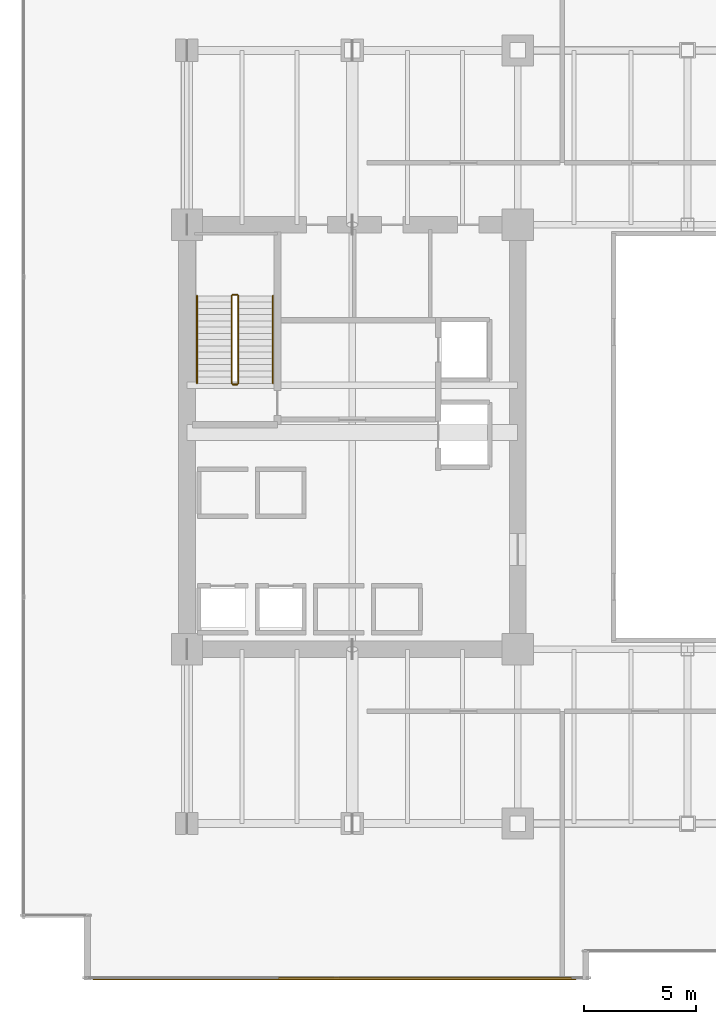
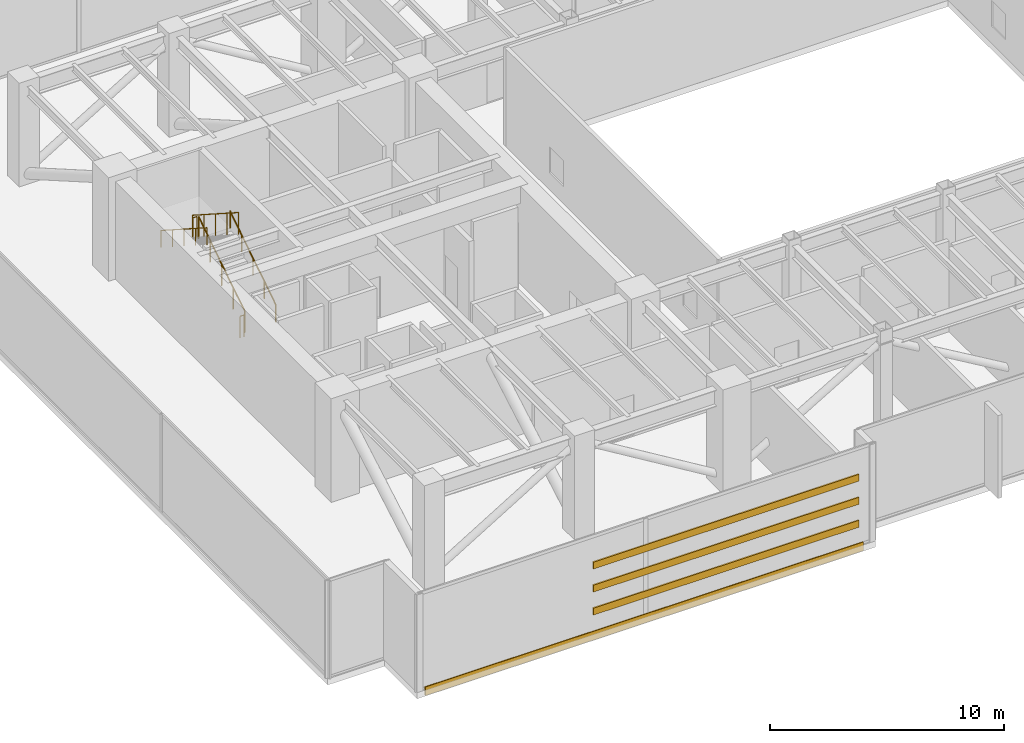
# One storey, part 36 of 38: 6 railings, 3 shading devices, 1 covering.
"""IFC4 building model written with IfcOpenShell, lengths in metres."""

from ifc_helpers import new_model, si_unit, direction, frame, frame_2d, origin, origin_2d, place, context, subcontext, project, spatial, rectangle, circle, extrude, source, transform, mapped, material, layer, layer_set, material_profile, profile_set, type_object, type_shapes, element, save


model = new_model("IFC4")

# Units and contexts
model_context = context("Model", 3, precision=1e-05, world=origin(), true_north=direction((0.0, 1.0)))
body_context = subcontext(model_context, "Body", "Model", "MODEL_VIEW")
ifc_project = project(units=[si_unit("LENGTHUNIT", "METRE"), si_unit("AREAUNIT", "SQUARE_METRE"), si_unit("VOLUMEUNIT", "CUBIC_METRE"), si_unit("PLANEANGLEUNIT", "RADIAN"), si_unit("MASSUNIT", "GRAM", prefix="KILO")], contexts=[model_context])

# Site, building, storey
site_placement = place(None, origin())
site = spatial("IfcSite", under=ifc_project, at=site_placement, CompositionType="ELEMENT")
building_placement = place(site_placement, origin())
building = spatial("IfcBuilding", under=site, at=building_placement, Name="Haelvirn Gate Laboratories", CompositionType="ELEMENT")
storey_placement = place(building_placement, frame((0.0, 0.0, 94.89990234375)))
storey = spatial("IfcBuildingStorey", under=building, at=storey_placement, Name="L23", CompositionType="ELEMENT", Elevation=94.89990234375)

# Covering
ifc_material_1 = material(Name="Anodised bronze honeycomb aluminium spandrel cladding", Category="aluminium")
ifc_layer = layer(ifc_material_1, 0.044921875, Name="COV-CLAD-BRZ")
ifc_layer_set = layer_set([ifc_layer], Name="Anodised bronze honeycomb aluminium spandrel cladding")
covering_type = type_object("IfcCoveringType", Name="COV-CLAD-BRZ", PredefinedType="CLADDING", material=ifc_layer_set)
covering_placement = place(storey_placement, frame((3.199951171875, 0.030029296875, -0.2998046875), z_axis=(0.0, 0.0, 1.0), x_axis=(1.0, 0.0, 0.0)))
element("IfcCovering", 1, at=covering_placement, inside=storey, type_object=covering_type, Name="L23 Bronze Slab-Edge Spandrel Cladding SW", PredefinedType="CLADDING", context=body_context, shape_type="SweptSolid", body=[
    extrude(rectangle(XDim=21.60009765625, YDim=0.044921875, at=frame_2d((10.800048828125, 0.0))), origin(), (0.0, 0.0, 1.0), 0.449951171875),
])

# Shading devices
ifc_material_2 = material(Name="Extruded aluminium 6063-T6 (anodised bronze)", Category="aluminium")
ifc_material_profile = material_profile(ifc_material_2, rectangle(XDim=0.080078125, YDim=0.360107421875, at=origin_2d()), Name="LOUV-360x80")
ifc_profile_set = profile_set([ifc_material_profile], Name="Extruded aluminium 6063-T6 (anodised bronze)")
shading_device_type = type_object("IfcShadingDeviceType", Name="SHD-LOUV-360", PredefinedType="USERDEFINED", material=ifc_profile_set)
shared_shape_1 = source(origin(), body_context, "Body", "SweptSolid", [
    extrude(rectangle(XDim=0.080078125, YDim=0.360107421875, at=origin_2d()), origin(), (0.0, 0.0, 1.0), 13.10009765625),
])
type_shapes(shading_device_type, [shared_shape_1])
for number, where, z_axis, x_axis, name in (
    (2, (11.5, 0.080078125, 1.150146484375), (1.0, 0.0, 0.0), (0.0, 1.0, 0.0), "L23 South Acoustic Plant Louvre 1"),
    (3, (11.5, 0.080078125, 2.35009765625), (1.0, 0.0, 0.0), (0.0, 1.0, 0.0), "L23 South Acoustic Plant Louvre 2"),
    (4, (11.5, 0.080078125, 3.550048828125), (1.0, 0.0, 0.0), (0.0, 1.0, 0.0), "L23 South Acoustic Plant Louvre 3"),
):
    element("IfcShadingDevice", number, at=place(storey_placement, frame(where, z_axis=z_axis, x_axis=x_axis)), inside=storey, type_object=shading_device_type, Name=name, ObjectType="LOUVRE", PredefinedType="USERDEFINED", context=body_context, shape_type="MappedRepresentation", body=[
        mapped(shared_shape_1, transform((0.0, 0.0, 0.0), scale=1.0)),
    ])

# Railings
ifc_material_3 = material(Name="Galvanised steel SM355 & stainless top rail", Category="steel")
railing_type_1 = type_object("IfcRailingType", Name="RL-GUARD-1150", PredefinedType="GUARDRAIL", material=ifc_material_3)
shared_shape_2 = source(origin(), body_context, "Body", "SweptSolid", [
    extrude(circle(Radius=0.02392578125, at=origin_2d()), frame((0.0, 0.0, 1.1259765625), z_axis=(-1.0, 0.0, 0.0), x_axis=(0.0, -1.0, 0.0)), (0.0, 0.0, 1.0), 0.199951171875),
    extrude(circle(Radius=0.02099609375, at=origin_2d()), origin(), (0.0, 0.0, 1.0), 1.101806640625),
    extrude(circle(Radius=0.02099609375, at=origin_2d()), frame((-0.199951171875, 0.0, 0.0)), (0.0, 0.0, 1.0), 1.101806640625),
])
for number, where, name in (
    (5, (9.64990234375, 30.669921875, 2.7001953125), "L23 ST1 stair guard 2"),
    (6, (9.64990234375, 26.64990234375, 0.0), "L23 ST1 stair guard 4"),
):
    element("IfcRailing", number, at=place(storey_placement, frame(where)), inside=storey, type_object=railing_type_1, Name=name, PredefinedType="GUARDRAIL", context=body_context, shape_type="MappedRepresentation", body=[
        mapped(shared_shape_2, transform((0.0, 0.0, 0.0), scale=1.0)),
    ])
shared_shape_3 = source(origin(), body_context, "Body", "SweptSolid", [
    extrude(circle(Radius=0.02392578125, at=origin_2d()), frame((0.0, 0.0, 1.1259765625), z_axis=(0.0, 0.841186985886, 0.540744352514), x_axis=(-1.0, 0.0, 0.0)), (0.0, 0.0, 1.0), 4.660400390625),
    extrude(circle(Radius=0.02099609375, at=origin_2d()), origin(), (0.0, 0.0, 1.0), 1.101806640625),
    extrude(circle(Radius=0.02099609375, at=origin_2d()), frame((0.0, 0.97998046875, 0.6298828125)), (0.0, 0.0, 1.0), 1.101806640625),
    extrude(circle(Radius=0.02099609375, at=origin_2d()), frame((0.0, 1.9599609375, 1.260009765625)), (0.0, 0.0, 1.0), 1.101806640625),
    extrude(circle(Radius=0.02099609375, at=origin_2d()), frame((0.0, 2.940185546875, 1.89013671875)), (0.0, 0.0, 1.0), 1.101806640625),
    extrude(circle(Radius=0.02099609375, at=origin_2d()), frame((0.0, 3.920166015625, 2.52001953125)), (0.0, 0.0, 1.0), 1.101806640625),
])
railing_1_placement = place(storey_placement, frame((9.699951171875, 26.699951171875, 0.18017578125)))
element("IfcRailing", 7, at=railing_1_placement, inside=storey, type_object=railing_type_1, Name="L23 ST1 stair guard 1", PredefinedType="GUARDRAIL", context=body_context, shape_type="MappedRepresentation", body=[
    mapped(shared_shape_3, transform((0.0, 0.0, 0.0), scale=1.0)),
])
shared_shape_4 = source(origin(), body_context, "Body", "SweptSolid", [
    extrude(circle(Radius=0.02392578125, at=origin_2d()), frame((0.0, 0.0, 1.1259765625), z_axis=(0.0, -0.841186985886, 0.540744352514), x_axis=(1.0, 0.0, 0.0)), (0.0, 0.0, 1.0), 4.660400390625),
    extrude(circle(Radius=0.02099609375, at=origin_2d()), origin(), (0.0, 0.0, 1.0), 1.101806640625),
    extrude(circle(Radius=0.02099609375, at=origin_2d()), frame((0.0, -0.97998046875, 0.6298828125)), (0.0, 0.0, 1.0), 1.101806640625),
    extrude(circle(Radius=0.02099609375, at=origin_2d()), frame((0.0, -1.9599609375, 1.260009765625)), (0.0, 0.0, 1.0), 1.101806640625),
    extrude(circle(Radius=0.02099609375, at=origin_2d()), frame((0.0, -2.940185546875, 1.89013671875)), (0.0, 0.0, 1.0), 1.101806640625),
    extrude(circle(Radius=0.02099609375, at=origin_2d()), frame((0.0, -3.920166015625, 2.52001953125)), (0.0, 0.0, 1.0), 1.101806640625),
])
type_shapes(railing_type_1, [shared_shape_2, shared_shape_3, shared_shape_4])
railing_2_placement = place(storey_placement, frame((9.39990234375, 30.6201171875, 2.880126953125)))
element("IfcRailing", 8, at=railing_2_placement, inside=storey, type_object=railing_type_1, Name="L23 ST1 stair guard 3", PredefinedType="GUARDRAIL", context=body_context, shape_type="MappedRepresentation", body=[
    mapped(shared_shape_4, transform((0.0, 0.0, 0.0), scale=1.0)),
])
ifc_material_4 = material(Name="Brushed stainless steel 316L", Category="steel")
railing_type_2 = type_object("IfcRailingType", Name="RL-HAND-920", PredefinedType="HANDRAIL", material=ifc_material_4)
shared_shape_5 = source(origin(), body_context, "Body", "SweptSolid", [
    extrude(circle(Radius=0.02392578125, at=origin_2d()), frame((0.0, 0.0, 0.8759765625), z_axis=(0.0, 0.841186985886, 0.540744352514), x_axis=(-1.0, 0.0, 0.0)), (0.0, 0.0, 1.0), 4.660400390625),
    extrude(circle(Radius=0.02099609375, at=origin_2d()), origin(), (0.0, 0.0, 1.0), 0.851806640625),
    extrude(circle(Radius=0.02099609375, at=origin_2d()), frame((0.0, 0.97998046875, 0.6298828125)), (0.0, 0.0, 1.0), 0.851806640625),
    extrude(circle(Radius=0.02099609375, at=origin_2d()), frame((0.0, 1.9599609375, 1.260009765625)), (0.0, 0.0, 1.0), 0.851806640625),
    extrude(circle(Radius=0.02099609375, at=origin_2d()), frame((0.0, 2.940185546875, 1.89013671875)), (0.0, 0.0, 1.0), 0.851806640625),
    extrude(circle(Radius=0.02099609375, at=origin_2d()), frame((0.0, 3.920166015625, 2.52001953125)), (0.0, 0.0, 1.0), 0.851806640625),
])
railing_3_placement = place(storey_placement, frame((11.25, 26.699951171875, 0.18017578125)))
element("IfcRailing", 9, at=railing_3_placement, inside=storey, type_object=railing_type_2, Name="L23 ST1 stair handrail 1", PredefinedType="HANDRAIL", context=body_context, shape_type="MappedRepresentation", body=[
    mapped(shared_shape_5, transform((0.0, 0.0, 0.0), scale=1.0)),
])
shared_shape_6 = source(origin(), body_context, "Body", "SweptSolid", [
    extrude(circle(Radius=0.02392578125, at=origin_2d()), frame((0.0, 0.0, 0.8759765625), z_axis=(0.0, -0.841186985886, 0.540744352514), x_axis=(1.0, 0.0, 0.0)), (0.0, 0.0, 1.0), 4.660400390625),
    extrude(circle(Radius=0.02099609375, at=origin_2d()), origin(), (0.0, 0.0, 1.0), 0.851806640625),
    extrude(circle(Radius=0.02099609375, at=origin_2d()), frame((0.0, -0.97998046875, 0.6298828125)), (0.0, 0.0, 1.0), 0.851806640625),
    extrude(circle(Radius=0.02099609375, at=origin_2d()), frame((0.0, -1.9599609375, 1.260009765625)), (0.0, 0.0, 1.0), 0.851806640625),
    extrude(circle(Radius=0.02099609375, at=origin_2d()), frame((0.0, -2.940185546875, 1.89013671875)), (0.0, 0.0, 1.0), 0.851806640625),
    extrude(circle(Radius=0.02099609375, at=origin_2d()), frame((0.0, -3.920166015625, 2.52001953125)), (0.0, 0.0, 1.0), 0.851806640625),
])
type_shapes(railing_type_2, [shared_shape_5, shared_shape_6])
railing_4_placement = place(storey_placement, frame((7.85009765625, 30.6201171875, 2.880126953125)))
element("IfcRailing", 10, at=railing_4_placement, inside=storey, type_object=railing_type_2, Name="L23 ST1 stair handrail 2", PredefinedType="HANDRAIL", context=body_context, shape_type="MappedRepresentation", body=[
    mapped(shared_shape_6, transform((0.0, 0.0, 0.0), scale=1.0)),
])

save(model, "model.ifc")
